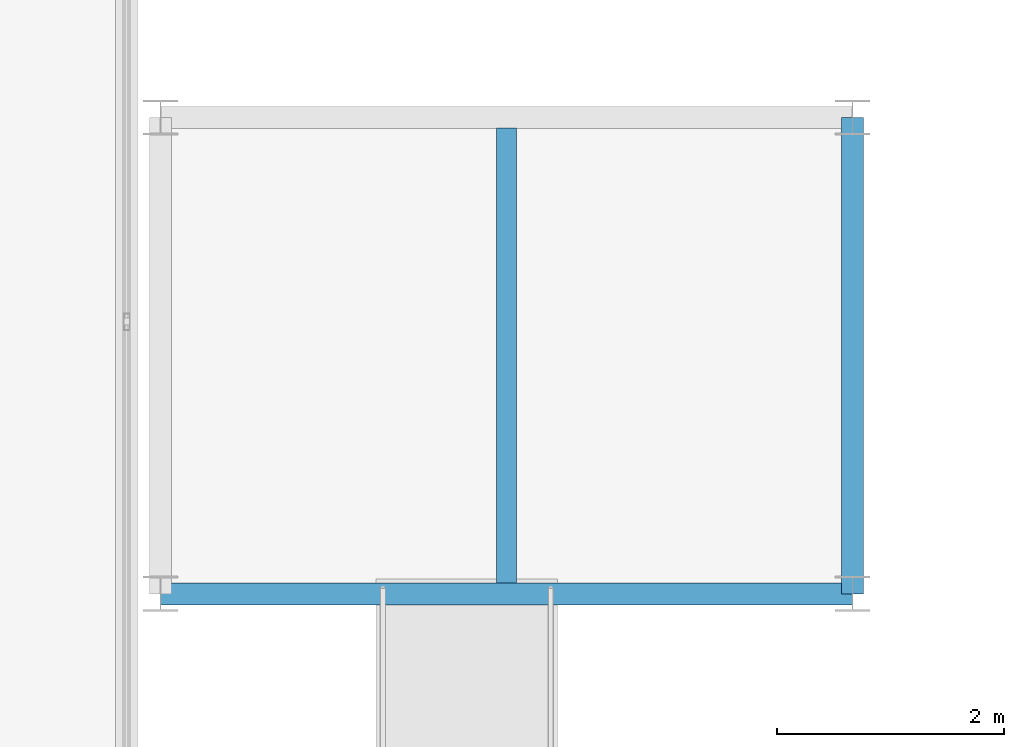
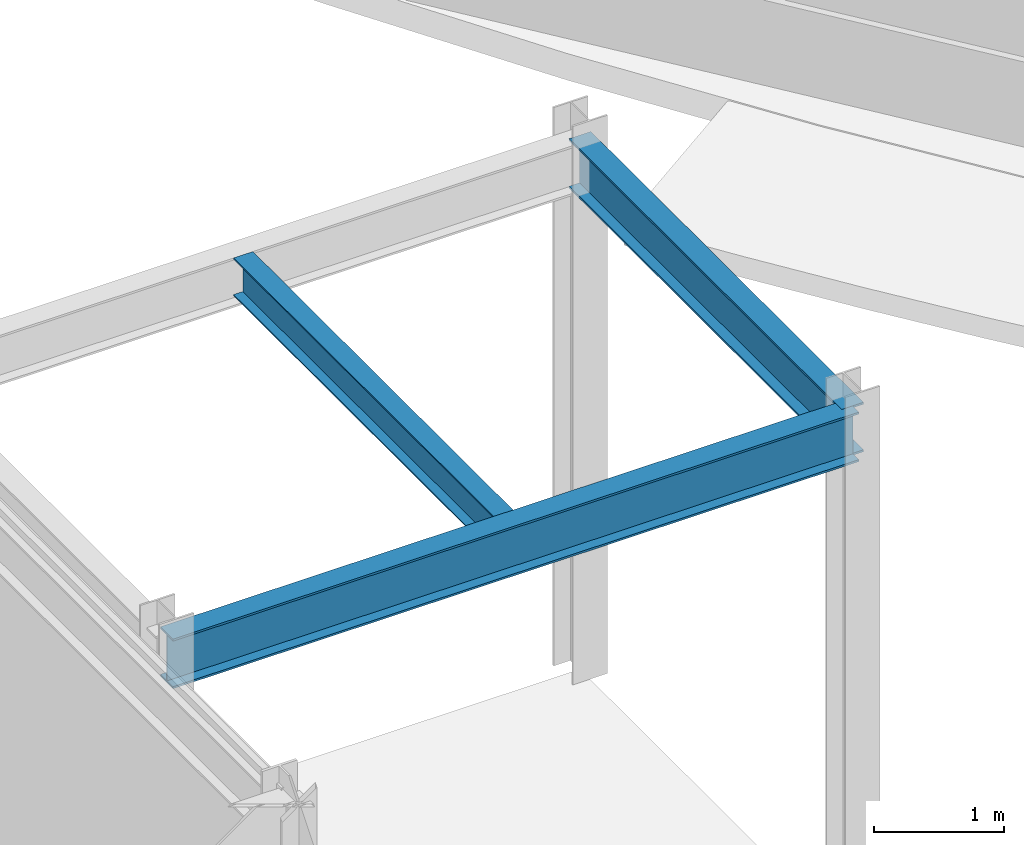
# One storey, part 25 of 168: 3 beams.
"""IFC4 building model written with IfcOpenShell, lengths in metres."""

from ifc_helpers import new_model, si_unit, direction, frame, origin, origin_2d, place, context, subcontext, project, spatial, i_section, extrude, material, material_profile, profile_set, type_object, element, save


model = new_model("IFC4")

# Units and contexts
model_context = context("Model", 3, precision=1e-05, world=origin(), true_north=direction((0.0, 1.0)))
body_context = subcontext(model_context, "Body", "Model", "MODEL_VIEW")
ifc_project = project(units=[si_unit("LENGTHUNIT", "METRE"), si_unit("AREAUNIT", "SQUARE_METRE"), si_unit("VOLUMEUNIT", "CUBIC_METRE"), si_unit("PLANEANGLEUNIT", "RADIAN"), si_unit("MASSUNIT", "GRAM", prefix="KILO")], contexts=[model_context])

# Site, building, storey
site_placement = place(None, origin())
site = spatial("IfcSite", under=ifc_project, at=site_placement, CompositionType="ELEMENT")
building_placement = place(site_placement, origin())
building = spatial("IfcBuilding", under=site, at=building_placement, Name="Almandine Court Research Institute", CompositionType="ELEMENT")
storey_placement = place(building_placement, origin())
storey = spatial("IfcBuildingStorey", under=building, at=storey_placement, Name="L00", CompositionType="ELEMENT", Elevation=0.0)

# Beams
ifc_material = material(Name="Steel ASTM A992 Grade 50", Category="steel")
ifc_material_profile_1 = material_profile(ifc_material, i_section(OverallWidth=0.172119140625, OverallDepth=0.35791015625, WebThickness=0.008056640625, FlangeThickness=0.012939453125, at=origin_2d()), Name="W360x57")
ifc_profile_set_1 = profile_set([ifc_material_profile_1], Name="Steel ASTM A992 Grade 50")
beam_type_1 = type_object("IfcBeamType", Name="Beam-B-03", PredefinedType="JOIST", material=ifc_profile_set_1)
beam_1_placement = place(storey_placement, frame((38.14990234375, 18.094970703125, 4.843994140625), z_axis=(0.0, 1.0, 0.0), x_axis=(-1.0, 0.0, 0.0)))
element("IfcBeam", 1, at=beam_1_placement, inside=storey, type_object=beam_type_1, Name="L00 DAL-SW Composite Secondary Beam", PredefinedType="JOIST", context=body_context, shape_type="SweptSolid", body=[
    extrude(i_section(OverallWidth=0.172119140625, OverallDepth=0.35791015625, WebThickness=0.008056640625, FlangeThickness=0.012939453125, at=origin_2d()), origin(), (0.0, 0.0, 1.0), 4.010009765625),
])
ifc_material_profile_2 = material_profile(ifc_material, i_section(OverallWidth=0.193115234375, OverallDepth=0.466064453125, WebThickness=0.010986328125, FlangeThickness=0.01904296875, at=origin_2d()), Name="W460x97")
ifc_profile_set_2 = profile_set([ifc_material_profile_2], Name="Steel ASTM A992 Grade 50")
beam_type_2 = type_object("IfcBeamType", Name="Beam-G-06-E", PredefinedType="SPANDREL", material=ifc_profile_set_2)
beam_2_placement = place(storey_placement, frame((35.10009765625, 18.0, 4.7900390625), z_axis=(1.0, 0.0, 0.0), x_axis=(0.0, 1.0, 0.0)))
element("IfcBeam", 2, at=beam_2_placement, inside=storey, type_object=beam_type_2, Name="L00 DAL-SW Primary X Girder", PredefinedType="SPANDREL", context=body_context, shape_type="SweptSolid", body=[
    extrude(i_section(OverallWidth=0.193115234375, OverallDepth=0.466064453125, WebThickness=0.010986328125, FlangeThickness=0.01904296875, at=origin_2d()), origin(), (0.0, 0.0, 1.0), 6.099853515625),
])
beam_3_placement = place(storey_placement, frame((41.199951171875, 18.0, 4.7900390625), z_axis=(0.0, 1.0, 0.0), x_axis=(-1.0, 0.0, 0.0)))
element("IfcBeam", 3, at=beam_3_placement, inside=storey, type_object=beam_type_2, Name="L00 DAL-SW Primary Y Girder", PredefinedType="SPANDREL", context=body_context, shape_type="SweptSolid", body=[
    extrude(i_section(OverallWidth=0.193115234375, OverallDepth=0.466064453125, WebThickness=0.010986328125, FlangeThickness=0.01904296875, at=origin_2d()), origin(), (0.0, 0.0, 1.0), 4.199951171875),
])

save(model, "model.ifc")
